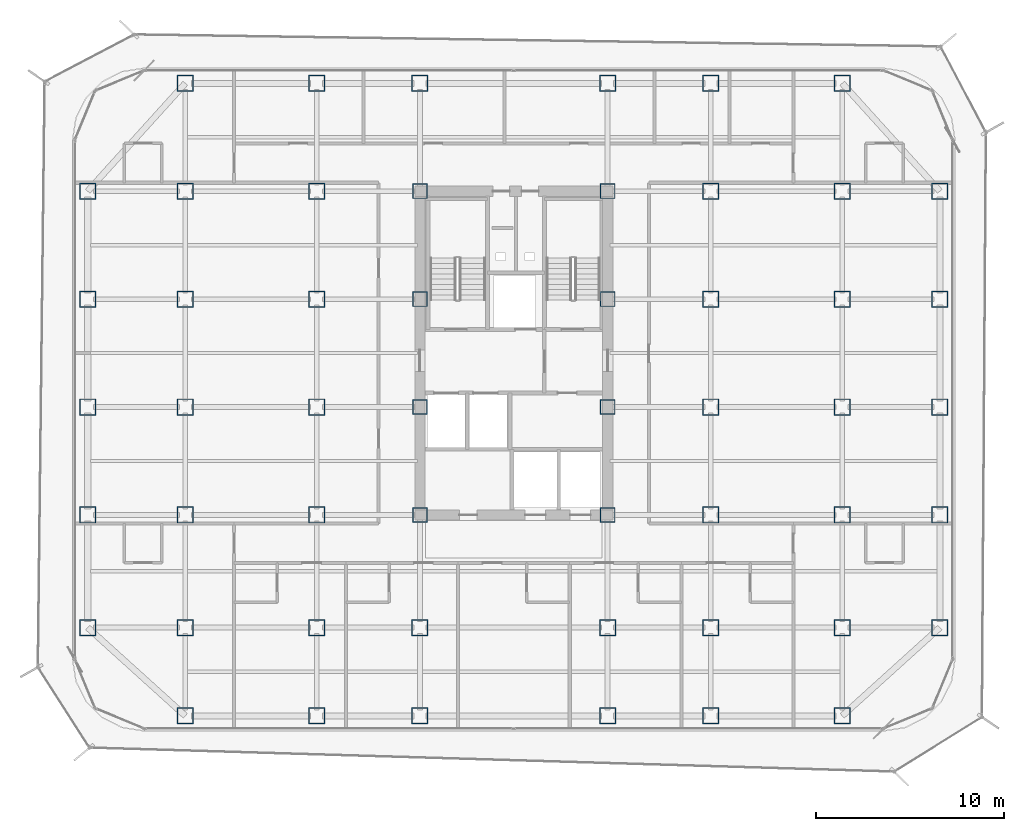
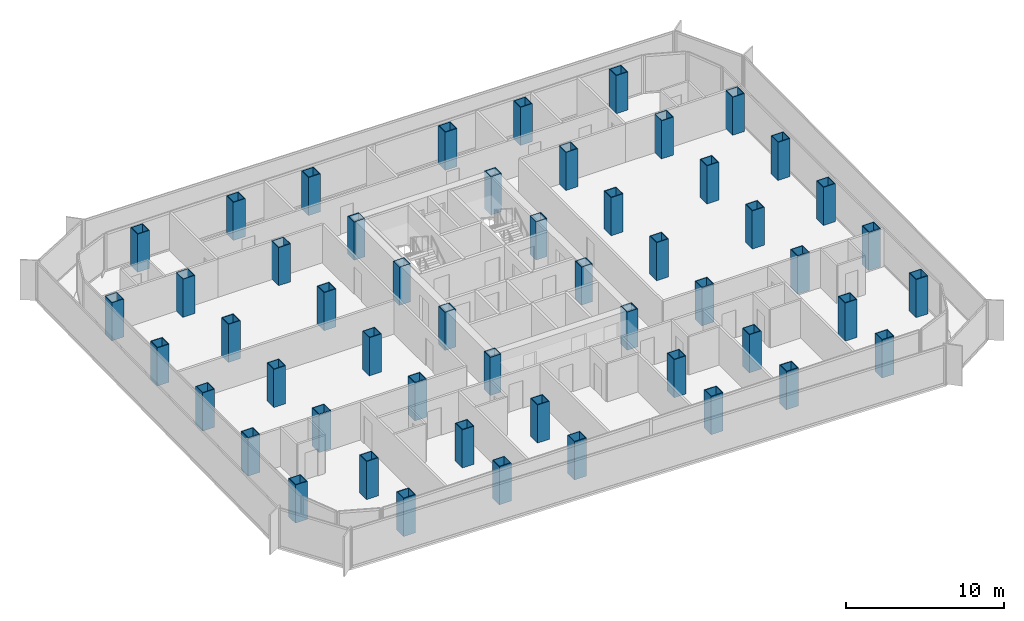
# One storey, part 1 of 21: 52 columns.
"""IFC4 building model written with IfcOpenShell, lengths in metres."""

from ifc_helpers import new_model, si_unit, direction, frame, origin, origin_2d, place, context, subcontext, project, spatial, hollow_rectangle, extrude, source, transform, mapped, material, material_profile, profile_set, type_object, element, save


model = new_model("IFC4")

# Units and contexts
model_context = context("Model", 3, precision=1e-05, world=origin(), true_north=direction((0.0, 1.0)))
body_context = subcontext(model_context, "Body", "Model", "MODEL_VIEW")
ifc_project = project(units=[si_unit("LENGTHUNIT", "METRE"), si_unit("AREAUNIT", "SQUARE_METRE"), si_unit("VOLUMEUNIT", "CUBIC_METRE"), si_unit("PLANEANGLEUNIT", "RADIAN"), si_unit("MASSUNIT", "GRAM", prefix="KILO")], contexts=[model_context])

# Site, building, storey
site_placement = place(None, origin())
site = spatial("IfcSite", under=ifc_project, at=site_placement, CompositionType="ELEMENT")
building_placement = place(site_placement, origin())
building = spatial("IfcBuilding", under=site, at=building_placement, Name="Kolveth Station Tower", CompositionType="ELEMENT")
storey_placement = place(building_placement, frame((0.0, 0.0, 115.10009765625)))
storey = spatial("IfcBuildingStorey", under=building, at=storey_placement, Name="L31", CompositionType="ELEMENT", Elevation=115.10009765625)

# Columns
ifc_material_1 = material(Name="Steel S460", Category="steel")
ifc_material_profile_1 = material_profile(ifc_material_1, hollow_rectangle(XDim=0.8798828125, YDim=0.8798828125, WallThickness=0.050048828125, at=origin_2d()), Name="BOX880x880x50")
ifc_profile_set_1 = profile_set([ifc_material_profile_1], Name="Steel S460")
column_type_1 = type_object("IfcColumnType", Name="Col_C4", PredefinedType="COLUMN", material=ifc_profile_set_1)
shared_shape_1 = source(origin(), body_context, "Body", "SweptSolid", [
    extrude(hollow_rectangle(XDim=0.8798828125, YDim=0.8798828125, WallThickness=0.050048828125, at=origin_2d()), origin(), (0.0, 0.0, 1.0), 2.949951171875),
])
for number, where, z_axis, x_axis, name in (
    (1, (6.0, 0.800048828125, 0.0), (0.0, 0.0, 1.0), (1.0, 0.0, 0.0), "L31 Tower Column S-X60"),
    (2, (6.0, 34.5, 0.0), (0.0, 0.0, 1.0), (1.0, 0.0, 0.0), "L31 Tower Column N-X60"),
    (3, (13.0, 0.800048828125, 0.0), (0.0, 0.0, 1.0), (1.0, 0.0, 0.0), "L31 Tower Column S-X130"),
    (4, (13.0, 34.5, 0.0), (0.0, 0.0, 1.0), (1.0, 0.0, 0.0), "L31 Tower Column N-X130"),
    (5, (18.5, 0.800048828125, 0.0), (0.0, 0.0, 1.0), (1.0, 0.0, 0.0), "L31 Tower Column S-X185"),
    (6, (18.5, 34.5, 0.0), (0.0, 0.0, 1.0), (1.0, 0.0, 0.0), "L31 Tower Column N-X185"),
    (7, (28.5, 0.800048828125, 0.0), (0.0, 0.0, 1.0), (1.0, 0.0, 0.0), "L31 Tower Column S-X285"),
    (8, (28.5, 34.5, 0.0), (0.0, 0.0, 1.0), (1.0, 0.0, 0.0), "L31 Tower Column N-X285"),
    (9, (34.0, 0.800048828125, 0.0), (0.0, 0.0, 1.0), (1.0, 0.0, 0.0), "L31 Tower Column S-X340"),
    (10, (34.0, 34.5, 0.0), (0.0, 0.0, 1.0), (1.0, 0.0, 0.0), "L31 Tower Column N-X340"),
    (11, (41.0, 0.800048828125, 0.0), (0.0, 0.0, 1.0), (1.0, 0.0, 0.0), "L31 Tower Column S-X410"),
    (12, (41.0, 34.5, 0.0), (0.0, 0.0, 1.0), (1.0, 0.0, 0.0), "L31 Tower Column N-X410"),
    (13, (0.800048828125, 5.5, 0.0), (0.0, 0.0, 1.0), (1.0, 0.0, 0.0), "L31 Tower Column W-Y55"),
    (14, (46.199951171875, 5.5, 0.0), (0.0, 0.0, 1.0), (1.0, 0.0, 0.0), "L31 Tower Column E-Y55"),
    (15, (0.800048828125, 11.5, 0.0), (0.0, 0.0, 1.0), (1.0, 0.0, 0.0), "L31 Tower Column W-Y115"),
    (16, (46.199951171875, 11.5, 0.0), (0.0, 0.0, 1.0), (1.0, 0.0, 0.0), "L31 Tower Column E-Y115"),
    (17, (0.800048828125, 17.25, 0.0), (0.0, 0.0, 1.0), (1.0, 0.0, 0.0), "L31 Tower Column W-Y172"),
    (18, (46.199951171875, 17.25, 0.0), (0.0, 0.0, 1.0), (1.0, 0.0, 0.0), "L31 Tower Column E-Y172"),
    (19, (0.800048828125, 23.0, 0.0), (0.0, 0.0, 1.0), (1.0, 0.0, 0.0), "L31 Tower Column W-Y230"),
    (20, (46.199951171875, 23.0, 0.0), (0.0, 0.0, 1.0), (1.0, 0.0, 0.0), "L31 Tower Column E-Y230"),
    (21, (0.800048828125, 28.75, 0.0), (0.0, 0.0, 1.0), (1.0, 0.0, 0.0), "L31 Tower Column W-Y287"),
    (22, (46.199951171875, 28.75, 0.0), (0.0, 0.0, 1.0), (1.0, 0.0, 0.0), "L31 Tower Column E-Y287"),
    (23, (6.0, 5.5, 0.0), (0.0, 0.0, 1.0), (1.0, 0.0, 0.0), "L31 Tower Column G-60-55"),
    (24, (6.0, 11.5, 0.0), (0.0, 0.0, 1.0), (1.0, 0.0, 0.0), "L31 Tower Column G-60-115"),
    (25, (6.0, 17.25, 0.0), (0.0, 0.0, 1.0), (1.0, 0.0, 0.0), "L31 Tower Column G-60-172"),
    (26, (6.0, 23.0, 0.0), (0.0, 0.0, 1.0), (1.0, 0.0, 0.0), "L31 Tower Column G-60-230"),
    (27, (6.0, 28.75, 0.0), (0.0, 0.0, 1.0), (1.0, 0.0, 0.0), "L31 Tower Column G-60-287"),
    (28, (13.0, 5.5, 0.0), (0.0, 0.0, 1.0), (1.0, 0.0, 0.0), "L31 Tower Column G-130-55"),
    (29, (13.0, 11.5, 0.0), (0.0, 0.0, 1.0), (1.0, 0.0, 0.0), "L31 Tower Column G-130-115"),
    (30, (13.0, 17.25, 0.0), (0.0, 0.0, 1.0), (1.0, 0.0, 0.0), "L31 Tower Column G-130-172"),
    (31, (13.0, 23.0, 0.0), (0.0, 0.0, 1.0), (1.0, 0.0, 0.0), "L31 Tower Column G-130-230"),
    (32, (13.0, 28.75, 0.0), (0.0, 0.0, 1.0), (1.0, 0.0, 0.0), "L31 Tower Column G-130-287"),
    (33, (18.5, 5.5, 0.0), (0.0, 0.0, 1.0), (1.0, 0.0, 0.0), "L31 Tower Column G-185-55"),
    (34, (28.5, 5.5, 0.0), (0.0, 0.0, 1.0), (1.0, 0.0, 0.0), "L31 Tower Column G-285-55"),
    (35, (34.0, 5.5, 0.0), (0.0, 0.0, 1.0), (1.0, 0.0, 0.0), "L31 Tower Column G-340-55"),
    (36, (34.0, 11.5, 0.0), (0.0, 0.0, 1.0), (1.0, 0.0, 0.0), "L31 Tower Column G-340-115"),
    (37, (34.0, 17.25, 0.0), (0.0, 0.0, 1.0), (1.0, 0.0, 0.0), "L31 Tower Column G-340-172"),
    (38, (34.0, 23.0, 0.0), (0.0, 0.0, 1.0), (1.0, 0.0, 0.0), "L31 Tower Column G-340-230"),
    (39, (34.0, 28.75, 0.0), (0.0, 0.0, 1.0), (1.0, 0.0, 0.0), "L31 Tower Column G-340-287"),
    (40, (41.0, 5.5, 0.0), (0.0, 0.0, 1.0), (1.0, 0.0, 0.0), "L31 Tower Column G-410-55"),
    (41, (41.0, 11.5, 0.0), (0.0, 0.0, 1.0), (1.0, 0.0, 0.0), "L31 Tower Column G-410-115"),
    (42, (41.0, 17.25, 0.0), (0.0, 0.0, 1.0), (1.0, 0.0, 0.0), "L31 Tower Column G-410-172"),
    (43, (41.0, 23.0, 0.0), (0.0, 0.0, 1.0), (1.0, 0.0, 0.0), "L31 Tower Column G-410-230"),
    (44, (41.0, 28.75, 0.0), (0.0, 0.0, 1.0), (1.0, 0.0, 0.0), "L31 Tower Column G-410-287"),
):
    element("IfcColumn", number, at=place(storey_placement, frame(where, z_axis=z_axis, x_axis=x_axis)), inside=storey, type_object=column_type_1, Name=name, PredefinedType="COLUMN", context=body_context, shape_type="MappedRepresentation", body=[
        mapped(shared_shape_1, transform((0.0, 0.0, 0.0), x_axis=(1.0, 0.0, 0.0), y_axis=(0.0, 1.0, 0.0), z_axis=(0.0, 0.0, 1.0), scale=1.0)),
    ])
ifc_material_2 = material(Name="Steel S355", Category="steel")
ifc_material_profile_2 = material_profile(ifc_material_2, hollow_rectangle(XDim=0.800048828125, YDim=0.800048828125, WallThickness=0.044921875, at=origin_2d()), Name="BOX800x800x45")
ifc_profile_set_2 = profile_set([ifc_material_profile_2], Name="Steel S355")
column_type_2 = type_object("IfcColumnType", Name="Col_C5", PredefinedType="COLUMN", material=ifc_profile_set_2)
shared_shape_2 = source(origin(), body_context, "Body", "SweptSolid", [
    extrude(hollow_rectangle(XDim=0.800048828125, YDim=0.800048828125, WallThickness=0.044921875, at=origin_2d()), origin(), (0.0, 0.0, 1.0), 2.949951171875),
])
for number, where, z_axis, x_axis, name in (
    (45, (18.5, 11.5, 0.0), (0.0, 0.0, 1.0), (1.0, 0.0, 0.0), "L31 Tower Column G-185-115"),
    (46, (18.5, 17.25, 0.0), (0.0, 0.0, 1.0), (1.0, 0.0, 0.0), "L31 Tower Column G-185-172"),
    (47, (18.5, 23.0, 0.0), (0.0, 0.0, 1.0), (1.0, 0.0, 0.0), "L31 Tower Column G-185-230"),
    (48, (18.5, 28.75, 0.0), (0.0, 0.0, 1.0), (1.0, 0.0, 0.0), "L31 Tower Column G-185-287"),
    (49, (28.5, 11.5, 0.0), (0.0, 0.0, 1.0), (1.0, 0.0, 0.0), "L31 Tower Column G-285-115"),
    (50, (28.5, 17.25, 0.0), (0.0, 0.0, 1.0), (1.0, 0.0, 0.0), "L31 Tower Column G-285-172"),
    (51, (28.5, 23.0, 0.0), (0.0, 0.0, 1.0), (1.0, 0.0, 0.0), "L31 Tower Column G-285-230"),
    (52, (28.5, 28.75, 0.0), (0.0, 0.0, 1.0), (1.0, 0.0, 0.0), "L31 Tower Column G-285-287"),
):
    element("IfcColumn", number, at=place(storey_placement, frame(where, z_axis=z_axis, x_axis=x_axis)), inside=storey, type_object=column_type_2, Name=name, PredefinedType="COLUMN", context=body_context, shape_type="MappedRepresentation", body=[
        mapped(shared_shape_2, transform((0.0, 0.0, 0.0), x_axis=(1.0, 0.0, 0.0), y_axis=(0.0, 1.0, 0.0), z_axis=(0.0, 0.0, 1.0), scale=1.0)),
    ])

save(model, "model.ifc")
